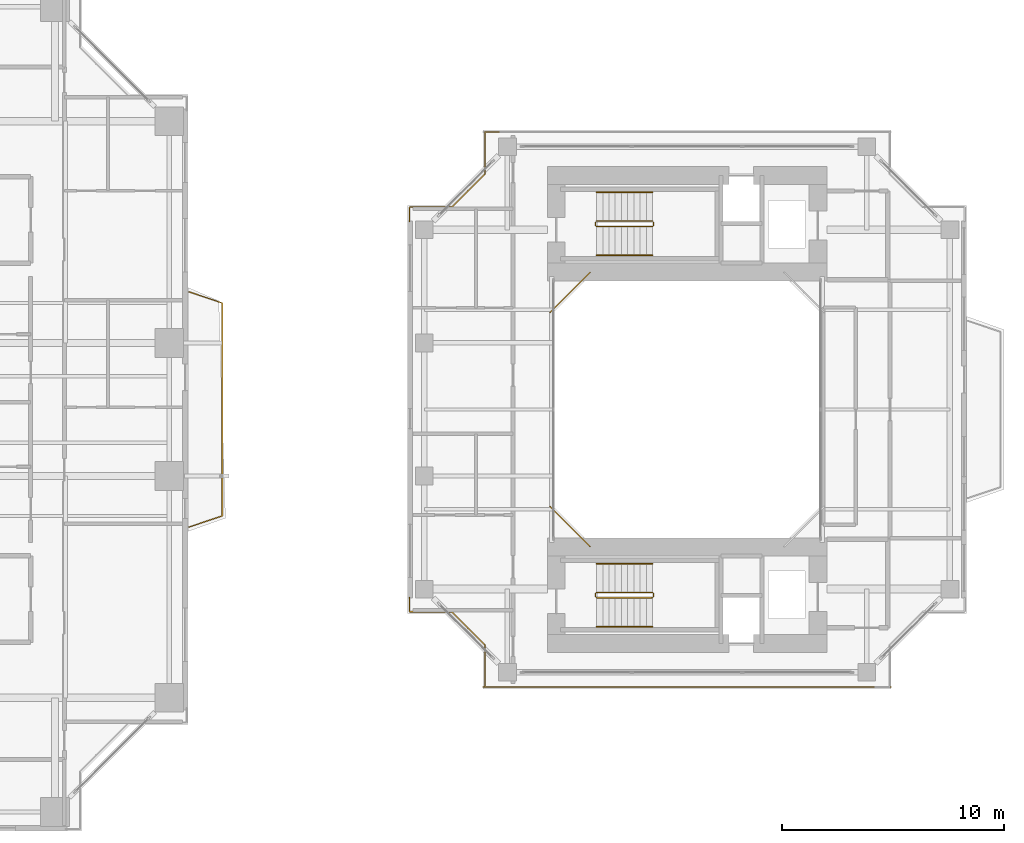
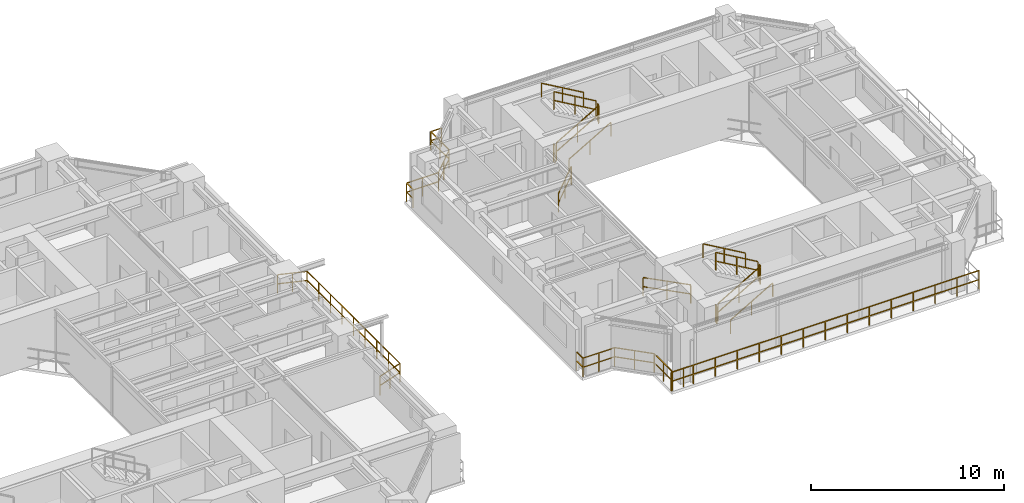
# One storey, part 22 of 23: 18 railings.
"""IFC4 building model written with IfcOpenShell, lengths in metres."""

from ifc_helpers import new_model, si_unit, direction, frame, origin, origin_2d, place, context, subcontext, project, spatial, rectangle, extrude, material, type_object, element, save


model = new_model("IFC4")

# Units and contexts
model_context = context("Model", 3, precision=1e-05, world=origin(), true_north=direction((0.0, 1.0)))
body_context = subcontext(model_context, "Body", "Model", "MODEL_VIEW")
ifc_project = project(units=[si_unit("LENGTHUNIT", "METRE"), si_unit("AREAUNIT", "SQUARE_METRE"), si_unit("VOLUMEUNIT", "CUBIC_METRE"), si_unit("PLANEANGLEUNIT", "RADIAN"), si_unit("MASSUNIT", "GRAM", prefix="KILO"), si_unit("THERMODYNAMICTEMPERATUREUNIT", "KELVIN"), si_unit("POWERUNIT", "WATT")], contexts=[model_context])

# Site, building, storey
site_placement = place(None, origin())
site = spatial("IfcSite", under=ifc_project, at=site_placement, CompositionType="ELEMENT")
building_placement = place(site_placement, origin())
building = spatial("IfcBuilding", under=site, at=building_placement, Name="Qiaomeng Ring Towers", CompositionType="ELEMENT")
storey_placement = place(building_placement, frame((0.0, 0.0, 79.5)))
storey = spatial("IfcBuildingStorey", under=building, at=storey_placement, Name="L22", CompositionType="ELEMENT", Elevation=79.5)

# Railings
ifc_material_1 = material(Name="Low-E pale-green laminated safety glass", Category="glass")
railing_type_1 = type_object("IfcRailingType", Name="ARC-RL-BAL1", PredefinedType="BALUSTRADE", material=ifc_material_1)
railing_1_placement = place(storey_placement, frame((38.050048828125, 17.699951171875, 0.0)))
element("IfcRailing", 1, at=railing_1_placement, inside=storey, type_object=railing_type_1, Name="L22 Balustrade ARC-BAL-L22-T1-E", PredefinedType="BALUSTRADE", context=body_context, shape_type="SweptSolid", body=[
    extrude(rectangle(XDim=0.048095703125, YDim=0.048095703125, at=origin_2d()), frame((0.0, 0.0, 1.17578125), z_axis=(0.948044476945, 0.318137815629, 0.0), x_axis=(-0.318137815629, 0.948044476945, 0.0)), (0.0, 0.0, 1.0), 1.571533203125),
    extrude(rectangle(XDim=0.048095703125, YDim=0.048095703125, at=origin_2d()), frame((0.0, 0.0, 0.60009765625), z_axis=(0.948044476945, 0.318137815629, 0.0), x_axis=(-0.318137815629, 0.948044476945, 0.0)), (0.0, 0.0, 1.0), 1.571533203125),
    extrude(rectangle(XDim=0.048095703125, YDim=0.048095703125, at=origin_2d()), frame((1.489990234375, 0.5, 1.17578125), z_axis=(0.0, 1.0, 0.0), x_axis=(-1.0, 0.0, 0.0)), (0.0, 0.0, 1.0), 9.60009765625),
    extrude(rectangle(XDim=0.048095703125, YDim=0.048095703125, at=origin_2d()), frame((1.489990234375, 0.5, 0.60009765625), z_axis=(0.0, 1.0, 0.0), x_axis=(-1.0, 0.0, 0.0)), (0.0, 0.0, 1.0), 9.60009765625),
    extrude(rectangle(XDim=0.048095703125, YDim=0.048095703125, at=origin_2d()), frame((1.489990234375, 10.10009765625, 1.17578125), z_axis=(-0.948044476945, 0.318137815629, 0.0), x_axis=(-0.318137815629, -0.948044476945, 0.0)), (0.0, 0.0, 1.0), 1.571533203125),
    extrude(rectangle(XDim=0.048095703125, YDim=0.048095703125, at=origin_2d()), frame((1.489990234375, 10.10009765625, 0.60009765625), z_axis=(-0.948044476945, 0.318137815629, 0.0), x_axis=(-0.318137815629, -0.948044476945, 0.0)), (0.0, 0.0, 1.0), 1.571533203125),
    extrude(rectangle(XDim=0.0419921875, YDim=0.0419921875, at=origin_2d()), origin(), (0.0, 0.0, 1.0), 1.15185546875),
    extrude(rectangle(XDim=0.0419921875, YDim=0.0419921875, at=origin_2d()), frame((0.7451171875, 0.25, 0.0)), (0.0, 0.0, 1.0), 1.15185546875),
    extrude(rectangle(XDim=0.0419921875, YDim=0.0419921875, at=origin_2d()), frame((1.489990234375, 0.5, 0.0)), (0.0, 0.0, 1.0), 1.15185546875),
    extrude(rectangle(XDim=0.0419921875, YDim=0.0419921875, at=origin_2d()), frame((1.489990234375, 1.699951171875, 0.0)), (0.0, 0.0, 1.0), 1.15185546875),
    extrude(rectangle(XDim=0.0419921875, YDim=0.0419921875, at=origin_2d()), frame((1.489990234375, 2.89990234375, 0.0)), (0.0, 0.0, 1.0), 1.15185546875),
    extrude(rectangle(XDim=0.0419921875, YDim=0.0419921875, at=origin_2d()), frame((1.489990234375, 4.10009765625, 0.0)), (0.0, 0.0, 1.0), 1.15185546875),
    extrude(rectangle(XDim=0.0419921875, YDim=0.0419921875, at=origin_2d()), frame((1.489990234375, 5.300048828125, 0.0)), (0.0, 0.0, 1.0), 1.15185546875),
    extrude(rectangle(XDim=0.0419921875, YDim=0.0419921875, at=origin_2d()), frame((1.489990234375, 6.5, 0.0)), (0.0, 0.0, 1.0), 1.15185546875),
    extrude(rectangle(XDim=0.0419921875, YDim=0.0419921875, at=origin_2d()), frame((1.489990234375, 7.7001953125, 0.0)), (0.0, 0.0, 1.0), 1.15185546875),
    extrude(rectangle(XDim=0.0419921875, YDim=0.0419921875, at=origin_2d()), frame((1.489990234375, 8.900146484375, 0.0)), (0.0, 0.0, 1.0), 1.15185546875),
    extrude(rectangle(XDim=0.0419921875, YDim=0.0419921875, at=origin_2d()), frame((1.489990234375, 10.10009765625, 0.0)), (0.0, 0.0, 1.0), 1.15185546875),
    extrude(rectangle(XDim=0.0419921875, YDim=0.0419921875, at=origin_2d()), frame((0.7451171875, 10.35009765625, 0.0)), (0.0, 0.0, 1.0), 1.15185546875),
    extrude(rectangle(XDim=0.0419921875, YDim=0.0419921875, at=origin_2d()), frame((0.0, 10.60009765625, 0.0)), (0.0, 0.0, 1.0), 1.15185546875),
])
railing_2_placement = place(storey_placement, frame((56.1201171875, 29.179931640625, 0.0)))
element("IfcRailing", 2, at=railing_2_placement, inside=storey, type_object=railing_type_1, Name="L22 Balustrade ARC-BAL-WELL2-L22-3", PredefinedType="BALUSTRADE", context=body_context, shape_type="SweptSolid", body=[
    extrude(rectangle(XDim=0.048095703125, YDim=0.048095703125, at=origin_2d()), frame((0.0, 0.0, 1.17578125), z_axis=(-0.707106781187, -0.707106781187, 0.0), x_axis=(0.707106781187, -0.707106781187, 0.0)), (0.0, 0.0, 1.0), 2.545654296875),
    extrude(rectangle(XDim=0.048095703125, YDim=0.048095703125, at=origin_2d()), frame((0.0, 0.0, 0.60009765625), z_axis=(-0.707106781187, -0.707106781187, 0.0), x_axis=(0.707106781187, -0.707106781187, 0.0)), (0.0, 0.0, 1.0), 2.545654296875),
    extrude(rectangle(XDim=0.0419921875, YDim=0.0419921875, at=origin_2d()), origin(), (0.0, 0.0, 1.0), 1.15185546875),
    extrude(rectangle(XDim=0.0419921875, YDim=0.0419921875, at=origin_2d()), frame((-0.89990234375, -0.89990234375, 0.0)), (0.0, 0.0, 1.0), 1.15185546875),
    extrude(rectangle(XDim=0.0419921875, YDim=0.0419921875, at=origin_2d()), frame((-1.800048828125, -1.800048828125, 0.0)), (0.0, 0.0, 1.0), 1.15185546875),
])
railing_3_placement = place(storey_placement, frame((54.320068359375, 18.6201171875, 0.0)))
element("IfcRailing", 3, at=railing_3_placement, inside=storey, type_object=railing_type_1, Name="L22 Balustrade ARC-BAL-WELL2-L22-4", PredefinedType="BALUSTRADE", context=body_context, shape_type="SweptSolid", body=[
    extrude(rectangle(XDim=0.048095703125, YDim=0.048095703125, at=origin_2d()), frame((0.0, 0.0, 1.17578125), z_axis=(0.707106781187, -0.707106781187, 0.0), x_axis=(0.707106781187, 0.707106781187, 0.0)), (0.0, 0.0, 1.0), 2.545654296875),
    extrude(rectangle(XDim=0.048095703125, YDim=0.048095703125, at=origin_2d()), frame((0.0, 0.0, 0.60009765625), z_axis=(0.707106781187, -0.707106781187, 0.0), x_axis=(0.707106781187, 0.707106781187, 0.0)), (0.0, 0.0, 1.0), 2.545654296875),
    extrude(rectangle(XDim=0.0419921875, YDim=0.0419921875, at=origin_2d()), origin(), (0.0, 0.0, 1.0), 1.15185546875),
    extrude(rectangle(XDim=0.0419921875, YDim=0.0419921875, at=origin_2d()), frame((0.89990234375, -0.89990234375, 0.0)), (0.0, 0.0, 1.0), 1.15185546875),
    extrude(rectangle(XDim=0.0419921875, YDim=0.0419921875, at=origin_2d()), frame((1.800048828125, -1.800048828125, 0.0)), (0.0, 0.0, 1.0), 1.15185546875),
])
railing_4_placement = place(storey_placement, frame((52.030029296875, 35.52001953125, 0.0)))
element("IfcRailing", 4, at=railing_4_placement, inside=storey, type_object=railing_type_1, Name="L22 Balustrade ARC-BAL-NOTCH2-L22-NW", PredefinedType="BALUSTRADE", context=body_context, shape_type="SweptSolid", body=[
    extrude(rectangle(XDim=0.048095703125, YDim=0.048095703125, at=origin_2d()), frame((0.0, 0.0, 1.17578125), z_axis=(-1.0, 0.0, 0.0), x_axis=(0.0, -1.0, 0.0)), (0.0, 0.0, 1.0), 0.650146484375),
    extrude(rectangle(XDim=0.048095703125, YDim=0.048095703125, at=origin_2d()), frame((0.0, 0.0, 0.60009765625), z_axis=(-1.0, 0.0, 0.0), x_axis=(0.0, -1.0, 0.0)), (0.0, 0.0, 1.0), 0.650146484375),
    extrude(rectangle(XDim=0.048095703125, YDim=0.048095703125, at=origin_2d()), frame((-0.650146484375, 0.0, 1.17578125), z_axis=(0.0, -1.0, 0.0), x_axis=(1.0, 0.0, 0.0)), (0.0, 0.0, 1.0), 1.89990234375),
    extrude(rectangle(XDim=0.048095703125, YDim=0.048095703125, at=origin_2d()), frame((-0.650146484375, 0.0, 0.60009765625), z_axis=(0.0, -1.0, 0.0), x_axis=(1.0, 0.0, 0.0)), (0.0, 0.0, 1.0), 1.89990234375),
    extrude(rectangle(XDim=0.048095703125, YDim=0.048095703125, at=origin_2d()), frame((-0.650146484375, -1.89990234375, 1.17578125), z_axis=(-0.707106781187, -0.707106781187, 0.0), x_axis=(0.707106781187, -0.707106781187, 0.0)), (0.0, 0.0, 1.0), 2.121337890625),
    extrude(rectangle(XDim=0.048095703125, YDim=0.048095703125, at=origin_2d()), frame((-0.650146484375, -1.89990234375, 0.60009765625), z_axis=(-0.707106781187, -0.707106781187, 0.0), x_axis=(0.707106781187, -0.707106781187, 0.0)), (0.0, 0.0, 1.0), 2.121337890625),
    extrude(rectangle(XDim=0.048095703125, YDim=0.048095703125, at=origin_2d()), frame((-2.150146484375, -3.39990234375, 1.17578125), z_axis=(-1.0, 0.0, 0.0), x_axis=(0.0, -1.0, 0.0)), (0.0, 0.0, 1.0), 1.89990234375),
    extrude(rectangle(XDim=0.048095703125, YDim=0.048095703125, at=origin_2d()), frame((-2.150146484375, -3.39990234375, 0.60009765625), z_axis=(-1.0, 0.0, 0.0), x_axis=(0.0, -1.0, 0.0)), (0.0, 0.0, 1.0), 1.89990234375),
    extrude(rectangle(XDim=0.048095703125, YDim=0.048095703125, at=origin_2d()), frame((-4.050048828125, -3.39990234375, 1.17578125), z_axis=(0.0, -1.0, 0.0), x_axis=(1.0, 0.0, 0.0)), (0.0, 0.0, 1.0), 0.650146484375),
    extrude(rectangle(XDim=0.048095703125, YDim=0.048095703125, at=origin_2d()), frame((-4.050048828125, -3.39990234375, 0.60009765625), z_axis=(0.0, -1.0, 0.0), x_axis=(1.0, 0.0, 0.0)), (0.0, 0.0, 1.0), 0.650146484375),
    extrude(rectangle(XDim=0.0419921875, YDim=0.0419921875, at=origin_2d()), origin(), (0.0, 0.0, 1.0), 1.15185546875),
    extrude(rectangle(XDim=0.0419921875, YDim=0.0419921875, at=origin_2d()), frame((-0.650146484375, 0.0, 0.0)), (0.0, 0.0, 1.0), 1.15185546875),
    extrude(rectangle(XDim=0.0419921875, YDim=0.0419921875, at=origin_2d()), frame((-0.650146484375, -0.949951171875, 0.0)), (0.0, 0.0, 1.0), 1.15185546875),
    extrude(rectangle(XDim=0.0419921875, YDim=0.0419921875, at=origin_2d()), frame((-0.650146484375, -1.89990234375, 0.0)), (0.0, 0.0, 1.0), 1.15185546875),
    extrude(rectangle(XDim=0.0419921875, YDim=0.0419921875, at=origin_2d()), frame((-1.400146484375, -2.64990234375, 0.0)), (0.0, 0.0, 1.0), 1.15185546875),
    extrude(rectangle(XDim=0.0419921875, YDim=0.0419921875, at=origin_2d()), frame((-2.150146484375, -3.39990234375, 0.0)), (0.0, 0.0, 1.0), 1.15185546875),
    extrude(rectangle(XDim=0.0419921875, YDim=0.0419921875, at=origin_2d()), frame((-3.10009765625, -3.39990234375, 0.0)), (0.0, 0.0, 1.0), 1.15185546875),
    extrude(rectangle(XDim=0.0419921875, YDim=0.0419921875, at=origin_2d()), frame((-4.050048828125, -3.39990234375, 0.0)), (0.0, 0.0, 1.0), 1.15185546875),
    extrude(rectangle(XDim=0.0419921875, YDim=0.0419921875, at=origin_2d()), frame((-4.050048828125, -4.050048828125, 0.0)), (0.0, 0.0, 1.0), 1.15185546875),
])
railing_5_placement = place(storey_placement, frame((47.97998046875, 14.530029296875, 0.0)))
element("IfcRailing", 5, at=railing_5_placement, inside=storey, type_object=railing_type_1, Name="L22 Balustrade ARC-BAL-NOTCH2-L22-SW", PredefinedType="BALUSTRADE", context=body_context, shape_type="SweptSolid", body=[
    extrude(rectangle(XDim=0.048095703125, YDim=0.048095703125, at=origin_2d()), frame((0.0, 0.0, 1.17578125), z_axis=(0.0, -1.0, 0.0), x_axis=(1.0, 0.0, 0.0)), (0.0, 0.0, 1.0), 0.650146484375),
    extrude(rectangle(XDim=0.048095703125, YDim=0.048095703125, at=origin_2d()), frame((0.0, 0.0, 0.60009765625), z_axis=(0.0, -1.0, 0.0), x_axis=(1.0, 0.0, 0.0)), (0.0, 0.0, 1.0), 0.650146484375),
    extrude(rectangle(XDim=0.048095703125, YDim=0.048095703125, at=origin_2d()), frame((0.0, -0.650146484375, 1.17578125), z_axis=(1.0, 0.0, 0.0), x_axis=(0.0, 1.0, 0.0)), (0.0, 0.0, 1.0), 1.89990234375),
    extrude(rectangle(XDim=0.048095703125, YDim=0.048095703125, at=origin_2d()), frame((0.0, -0.650146484375, 0.60009765625), z_axis=(1.0, 0.0, 0.0), x_axis=(0.0, 1.0, 0.0)), (0.0, 0.0, 1.0), 1.89990234375),
    extrude(rectangle(XDim=0.048095703125, YDim=0.048095703125, at=origin_2d()), frame((1.89990234375, -0.650146484375, 1.17578125), z_axis=(0.707106781187, -0.707106781187, 0.0), x_axis=(0.707106781187, 0.707106781187, 0.0)), (0.0, 0.0, 1.0), 2.121337890625),
    extrude(rectangle(XDim=0.048095703125, YDim=0.048095703125, at=origin_2d()), frame((1.89990234375, -0.650146484375, 0.60009765625), z_axis=(0.707106781187, -0.707106781187, 0.0), x_axis=(0.707106781187, 0.707106781187, 0.0)), (0.0, 0.0, 1.0), 2.121337890625),
    extrude(rectangle(XDim=0.048095703125, YDim=0.048095703125, at=origin_2d()), frame((3.39990234375, -2.150146484375, 1.17578125), z_axis=(0.0, -1.0, 0.0), x_axis=(1.0, 0.0, 0.0)), (0.0, 0.0, 1.0), 1.89990234375),
    extrude(rectangle(XDim=0.048095703125, YDim=0.048095703125, at=origin_2d()), frame((3.39990234375, -2.150146484375, 0.60009765625), z_axis=(0.0, -1.0, 0.0), x_axis=(1.0, 0.0, 0.0)), (0.0, 0.0, 1.0), 1.89990234375),
    extrude(rectangle(XDim=0.048095703125, YDim=0.048095703125, at=origin_2d()), frame((3.39990234375, -4.050048828125, 1.17578125), z_axis=(1.0, 0.0, 0.0), x_axis=(0.0, 1.0, 0.0)), (0.0, 0.0, 1.0), 0.650146484375),
    extrude(rectangle(XDim=0.048095703125, YDim=0.048095703125, at=origin_2d()), frame((3.39990234375, -4.050048828125, 0.60009765625), z_axis=(1.0, 0.0, 0.0), x_axis=(0.0, 1.0, 0.0)), (0.0, 0.0, 1.0), 0.650146484375),
    extrude(rectangle(XDim=0.0419921875, YDim=0.0419921875, at=origin_2d()), origin(), (0.0, 0.0, 1.0), 1.15185546875),
    extrude(rectangle(XDim=0.0419921875, YDim=0.0419921875, at=origin_2d()), frame((0.0, -0.650146484375, 0.0)), (0.0, 0.0, 1.0), 1.15185546875),
    extrude(rectangle(XDim=0.0419921875, YDim=0.0419921875, at=origin_2d()), frame((0.949951171875, -0.650146484375, 0.0)), (0.0, 0.0, 1.0), 1.15185546875),
    extrude(rectangle(XDim=0.0419921875, YDim=0.0419921875, at=origin_2d()), frame((1.89990234375, -0.650146484375, 0.0)), (0.0, 0.0, 1.0), 1.15185546875),
    extrude(rectangle(XDim=0.0419921875, YDim=0.0419921875, at=origin_2d()), frame((2.64990234375, -1.400146484375, 0.0)), (0.0, 0.0, 1.0), 1.15185546875),
    extrude(rectangle(XDim=0.0419921875, YDim=0.0419921875, at=origin_2d()), frame((3.39990234375, -2.150146484375, 0.0)), (0.0, 0.0, 1.0), 1.15185546875),
    extrude(rectangle(XDim=0.0419921875, YDim=0.0419921875, at=origin_2d()), frame((3.39990234375, -3.10009765625, 0.0)), (0.0, 0.0, 1.0), 1.15185546875),
    extrude(rectangle(XDim=0.0419921875, YDim=0.0419921875, at=origin_2d()), frame((3.39990234375, -4.050048828125, 0.0)), (0.0, 0.0, 1.0), 1.15185546875),
    extrude(rectangle(XDim=0.0419921875, YDim=0.0419921875, at=origin_2d()), frame((4.050048828125, -4.050048828125, 0.0)), (0.0, 0.0, 1.0), 1.15185546875),
])
railing_6_placement = place(storey_placement, frame((51.300048828125, 10.47998046875, 0.0)))
element("IfcRailing", 6, at=railing_6_placement, inside=storey, type_object=railing_type_1, Name="L22 Balustrade ARC-BAL-T2S-L22", PredefinedType="BALUSTRADE", context=body_context, shape_type="SweptSolid", body=[
    extrude(rectangle(XDim=0.048095703125, YDim=0.048095703125, at=origin_2d()), frame((0.0, 0.0, 1.17578125), z_axis=(1.0, 0.0, 0.0), x_axis=(0.0, 1.0, 0.0)), (0.0, 0.0, 1.0), 18.39990234375),
    extrude(rectangle(XDim=0.048095703125, YDim=0.048095703125, at=origin_2d()), frame((0.0, 0.0, 0.60009765625), z_axis=(1.0, 0.0, 0.0), x_axis=(0.0, 1.0, 0.0)), (0.0, 0.0, 1.0), 18.39990234375),
    extrude(rectangle(XDim=0.0419921875, YDim=0.0419921875, at=origin_2d()), origin(), (0.0, 0.0, 1.0), 1.15185546875),
    extrude(rectangle(XDim=0.0419921875, YDim=0.0419921875, at=origin_2d()), frame((1.314208984375, 0.0, 0.0)), (0.0, 0.0, 1.0), 1.15185546875),
    extrude(rectangle(XDim=0.0419921875, YDim=0.0419921875, at=origin_2d()), frame((2.628662109375, 0.0, 0.0)), (0.0, 0.0, 1.0), 1.15185546875),
    extrude(rectangle(XDim=0.0419921875, YDim=0.0419921875, at=origin_2d()), frame((3.94287109375, 0.0, 0.0)), (0.0, 0.0, 1.0), 1.15185546875),
    extrude(rectangle(XDim=0.0419921875, YDim=0.0419921875, at=origin_2d()), frame((5.257080078125, 0.0, 0.0)), (0.0, 0.0, 1.0), 1.15185546875),
    extrude(rectangle(XDim=0.0419921875, YDim=0.0419921875, at=origin_2d()), frame((6.5712890625, 0.0, 0.0)), (0.0, 0.0, 1.0), 1.15185546875),
    extrude(rectangle(XDim=0.0419921875, YDim=0.0419921875, at=origin_2d()), frame((7.8857421875, 0.0, 0.0)), (0.0, 0.0, 1.0), 1.15185546875),
    extrude(rectangle(XDim=0.0419921875, YDim=0.0419921875, at=origin_2d()), frame((9.199951171875, 0.0, 0.0)), (0.0, 0.0, 1.0), 1.15185546875),
    extrude(rectangle(XDim=0.0419921875, YDim=0.0419921875, at=origin_2d()), frame((10.51416015625, 0.0, 0.0)), (0.0, 0.0, 1.0), 1.15185546875),
    extrude(rectangle(XDim=0.0419921875, YDim=0.0419921875, at=origin_2d()), frame((11.82861328125, 0.0, 0.0)), (0.0, 0.0, 1.0), 1.15185546875),
    extrude(rectangle(XDim=0.0419921875, YDim=0.0419921875, at=origin_2d()), frame((13.142822265625, 0.0, 0.0)), (0.0, 0.0, 1.0), 1.15185546875),
    extrude(rectangle(XDim=0.0419921875, YDim=0.0419921875, at=origin_2d()), frame((14.45703125, 0.0, 0.0)), (0.0, 0.0, 1.0), 1.15185546875),
    extrude(rectangle(XDim=0.0419921875, YDim=0.0419921875, at=origin_2d()), frame((15.771240234375, 0.0, 0.0)), (0.0, 0.0, 1.0), 1.15185546875),
    extrude(rectangle(XDim=0.0419921875, YDim=0.0419921875, at=origin_2d()), frame((17.085693359375, 0.0, 0.0)), (0.0, 0.0, 1.0), 1.15185546875),
    extrude(rectangle(XDim=0.0419921875, YDim=0.0419921875, at=origin_2d()), frame((18.39990234375, 0.0, 0.0)), (0.0, 0.0, 1.0), 1.15185546875),
])
ifc_material_2 = material(Name="Galvanised steel", Category="steel")
railing_type_2 = type_object("IfcRailingType", Name="ARC-RL-GUARD", PredefinedType="GUARDRAIL", material=ifc_material_2)
railing_7_placement = place(storey_placement, frame((56.419921875, 31.25, 0.16259765625)))
element("IfcRailing", 7, at=railing_7_placement, inside=storey, type_object=railing_type_2, Name="L22 ST5 stair guard 1", PredefinedType="GUARDRAIL", context=body_context, shape_type="SweptSolid", body=[
    extrude(rectangle(XDim=0.048095703125, YDim=0.048095703125, at=origin_2d()), frame((0.0, 0.0, 1.1259765625), z_axis=(0.864913338283, 0.0, 0.50192122615), x_axis=(0.0, 1.0, 0.0)), (0.0, 0.0, 1.0), 2.91357421875),
    extrude(rectangle(XDim=0.048095703125, YDim=0.048095703125, at=origin_2d()), frame((0.0, 0.0, 0.574951171875), z_axis=(0.864913338283, 0.0, 0.50192122615), x_axis=(0.0, 1.0, 0.0)), (0.0, 0.0, 1.0), 2.91357421875),
    extrude(rectangle(XDim=0.0419921875, YDim=0.0419921875, at=origin_2d()), origin(), (0.0, 0.0, 1.0), 1.101806640625),
    extrude(rectangle(XDim=0.0419921875, YDim=0.0419921875, at=origin_2d()), frame((1.260009765625, 0.0, 0.731201171875)), (0.0, 0.0, 1.0), 1.101806640625),
    extrude(rectangle(XDim=0.0419921875, YDim=0.0419921875, at=origin_2d()), frame((2.52001953125, 0.0, 1.46240234375)), (0.0, 0.0, 1.0), 1.101806640625),
])
railing_8_placement = place(storey_placement, frame((58.989990234375, 31.300048828125, 1.625)))
element("IfcRailing", 8, at=railing_8_placement, inside=storey, type_object=railing_type_2, Name="L22 ST5 stair guard 2", PredefinedType="GUARDRAIL", context=body_context, shape_type="SweptSolid", body=[
    extrude(rectangle(XDim=0.048095703125, YDim=0.048095703125, at=origin_2d()), frame((0.0, 0.0, 1.1259765625), z_axis=(0.0, 1.0, 0.0), x_axis=(-1.0, 0.0, 0.0)), (0.0, 0.0, 1.0), 0.139892578125),
    extrude(rectangle(XDim=0.048095703125, YDim=0.048095703125, at=origin_2d()), frame((0.0, 0.0, 0.574951171875), z_axis=(0.0, 1.0, 0.0), x_axis=(-1.0, 0.0, 0.0)), (0.0, 0.0, 1.0), 0.139892578125),
    extrude(rectangle(XDim=0.0419921875, YDim=0.0419921875, at=origin_2d()), origin(), (0.0, 0.0, 1.0), 1.101806640625),
    extrude(rectangle(XDim=0.0419921875, YDim=0.0419921875, at=origin_2d()), frame((0.0, 0.139892578125, 0.0)), (0.0, 0.0, 1.0), 1.101806640625),
])
railing_9_placement = place(storey_placement, frame((58.93994140625, 31.489990234375, 1.78759765625)))
element("IfcRailing", 9, at=railing_9_placement, inside=storey, type_object=railing_type_2, Name="L22 ST5 stair guard 3", PredefinedType="GUARDRAIL", context=body_context, shape_type="SweptSolid", body=[
    extrude(rectangle(XDim=0.048095703125, YDim=0.048095703125, at=origin_2d()), frame((0.0, 0.0, 1.1259765625), z_axis=(-0.864913338283, 0.0, 0.50192122615), x_axis=(0.0, -1.0, 0.0)), (0.0, 0.0, 1.0), 2.91357421875),
    extrude(rectangle(XDim=0.048095703125, YDim=0.048095703125, at=origin_2d()), frame((0.0, 0.0, 0.574951171875), z_axis=(-0.864913338283, 0.0, 0.50192122615), x_axis=(0.0, -1.0, 0.0)), (0.0, 0.0, 1.0), 2.91357421875),
    extrude(rectangle(XDim=0.0419921875, YDim=0.0419921875, at=origin_2d()), origin(), (0.0, 0.0, 1.0), 1.101806640625),
    extrude(rectangle(XDim=0.0419921875, YDim=0.0419921875, at=origin_2d()), frame((-1.260009765625, 0.0, 0.731201171875)), (0.0, 0.0, 1.0), 1.101806640625),
    extrude(rectangle(XDim=0.0419921875, YDim=0.0419921875, at=origin_2d()), frame((-2.52001953125, 0.0, 1.46240234375)), (0.0, 0.0, 1.0), 1.101806640625),
])
railing_10_placement = place(storey_placement, frame((56.3701171875, 31.300048828125, 0.0)))
element("IfcRailing", 10, at=railing_10_placement, inside=storey, type_object=railing_type_2, Name="L22 ST5 stair guard 4", PredefinedType="GUARDRAIL", context=body_context, shape_type="SweptSolid", body=[
    extrude(rectangle(XDim=0.048095703125, YDim=0.048095703125, at=origin_2d()), frame((0.0, 0.0, 1.1259765625), z_axis=(0.0, 1.0, 0.0), x_axis=(-1.0, 0.0, 0.0)), (0.0, 0.0, 1.0), 0.139892578125),
    extrude(rectangle(XDim=0.048095703125, YDim=0.048095703125, at=origin_2d()), frame((0.0, 0.0, 0.574951171875), z_axis=(0.0, 1.0, 0.0), x_axis=(-1.0, 0.0, 0.0)), (0.0, 0.0, 1.0), 0.139892578125),
    extrude(rectangle(XDim=0.0419921875, YDim=0.0419921875, at=origin_2d()), origin(), (0.0, 0.0, 1.0), 1.101806640625),
    extrude(rectangle(XDim=0.0419921875, YDim=0.0419921875, at=origin_2d()), frame((0.0, 0.139892578125, 0.0)), (0.0, 0.0, 1.0), 1.101806640625),
])
railing_11_placement = place(storey_placement, frame((56.419921875, 14.510009765625, 0.16259765625)))
element("IfcRailing", 11, at=railing_11_placement, inside=storey, type_object=railing_type_2, Name="L22 ST6 stair guard 1", PredefinedType="GUARDRAIL", context=body_context, shape_type="SweptSolid", body=[
    extrude(rectangle(XDim=0.048095703125, YDim=0.048095703125, at=origin_2d()), frame((0.0, 0.0, 1.1259765625), z_axis=(0.864913338283, 0.0, 0.50192122615), x_axis=(0.0, 1.0, 0.0)), (0.0, 0.0, 1.0), 2.91357421875),
    extrude(rectangle(XDim=0.048095703125, YDim=0.048095703125, at=origin_2d()), frame((0.0, 0.0, 0.574951171875), z_axis=(0.864913338283, 0.0, 0.50192122615), x_axis=(0.0, 1.0, 0.0)), (0.0, 0.0, 1.0), 2.91357421875),
    extrude(rectangle(XDim=0.0419921875, YDim=0.0419921875, at=origin_2d()), origin(), (0.0, 0.0, 1.0), 1.101806640625),
    extrude(rectangle(XDim=0.0419921875, YDim=0.0419921875, at=origin_2d()), frame((1.260009765625, 0.0, 0.731201171875)), (0.0, 0.0, 1.0), 1.101806640625),
    extrude(rectangle(XDim=0.0419921875, YDim=0.0419921875, at=origin_2d()), frame((2.52001953125, 0.0, 1.46240234375)), (0.0, 0.0, 1.0), 1.101806640625),
])
railing_12_placement = place(storey_placement, frame((58.989990234375, 14.56005859375, 1.625)))
element("IfcRailing", 12, at=railing_12_placement, inside=storey, type_object=railing_type_2, Name="L22 ST6 stair guard 2", PredefinedType="GUARDRAIL", context=body_context, shape_type="SweptSolid", body=[
    extrude(rectangle(XDim=0.048095703125, YDim=0.048095703125, at=origin_2d()), frame((0.0, 0.0, 1.1259765625), z_axis=(0.0, 1.0, 0.0), x_axis=(-1.0, 0.0, 0.0)), (0.0, 0.0, 1.0), 0.139892578125),
    extrude(rectangle(XDim=0.048095703125, YDim=0.048095703125, at=origin_2d()), frame((0.0, 0.0, 0.574951171875), z_axis=(0.0, 1.0, 0.0), x_axis=(-1.0, 0.0, 0.0)), (0.0, 0.0, 1.0), 0.139892578125),
    extrude(rectangle(XDim=0.0419921875, YDim=0.0419921875, at=origin_2d()), origin(), (0.0, 0.0, 1.0), 1.101806640625),
    extrude(rectangle(XDim=0.0419921875, YDim=0.0419921875, at=origin_2d()), frame((0.0, 0.139892578125, 0.0)), (0.0, 0.0, 1.0), 1.101806640625),
])
railing_13_placement = place(storey_placement, frame((58.93994140625, 14.75, 1.78759765625)))
element("IfcRailing", 13, at=railing_13_placement, inside=storey, type_object=railing_type_2, Name="L22 ST6 stair guard 3", PredefinedType="GUARDRAIL", context=body_context, shape_type="SweptSolid", body=[
    extrude(rectangle(XDim=0.048095703125, YDim=0.048095703125, at=origin_2d()), frame((0.0, 0.0, 1.1259765625), z_axis=(-0.864913338283, 0.0, 0.50192122615), x_axis=(0.0, -1.0, 0.0)), (0.0, 0.0, 1.0), 2.91357421875),
    extrude(rectangle(XDim=0.048095703125, YDim=0.048095703125, at=origin_2d()), frame((0.0, 0.0, 0.574951171875), z_axis=(-0.864913338283, 0.0, 0.50192122615), x_axis=(0.0, -1.0, 0.0)), (0.0, 0.0, 1.0), 2.91357421875),
    extrude(rectangle(XDim=0.0419921875, YDim=0.0419921875, at=origin_2d()), origin(), (0.0, 0.0, 1.0), 1.101806640625),
    extrude(rectangle(XDim=0.0419921875, YDim=0.0419921875, at=origin_2d()), frame((-1.260009765625, 0.0, 0.731201171875)), (0.0, 0.0, 1.0), 1.101806640625),
    extrude(rectangle(XDim=0.0419921875, YDim=0.0419921875, at=origin_2d()), frame((-2.52001953125, 0.0, 1.46240234375)), (0.0, 0.0, 1.0), 1.101806640625),
])
railing_14_placement = place(storey_placement, frame((56.3701171875, 14.56005859375, 0.0)))
element("IfcRailing", 14, at=railing_14_placement, inside=storey, type_object=railing_type_2, Name="L22 ST6 stair guard 4", PredefinedType="GUARDRAIL", context=body_context, shape_type="SweptSolid", body=[
    extrude(rectangle(XDim=0.048095703125, YDim=0.048095703125, at=origin_2d()), frame((0.0, 0.0, 1.1259765625), z_axis=(0.0, 1.0, 0.0), x_axis=(-1.0, 0.0, 0.0)), (0.0, 0.0, 1.0), 0.139892578125),
    extrude(rectangle(XDim=0.048095703125, YDim=0.048095703125, at=origin_2d()), frame((0.0, 0.0, 0.574951171875), z_axis=(0.0, 1.0, 0.0), x_axis=(-1.0, 0.0, 0.0)), (0.0, 0.0, 1.0), 0.139892578125),
    extrude(rectangle(XDim=0.0419921875, YDim=0.0419921875, at=origin_2d()), origin(), (0.0, 0.0, 1.0), 1.101806640625),
    extrude(rectangle(XDim=0.0419921875, YDim=0.0419921875, at=origin_2d()), frame((0.0, 0.139892578125, 0.0)), (0.0, 0.0, 1.0), 1.101806640625),
])
ifc_material_3 = material(Name="Stainless steel 316", Category="steel")
railing_type_3 = type_object("IfcRailingType", Name="ARC-RL-HAND", PredefinedType="HANDRAIL", material=ifc_material_3)
railing_15_placement = place(storey_placement, frame((56.419921875, 29.949951171875, 0.16259765625)))
element("IfcRailing", 15, at=railing_15_placement, inside=storey, type_object=railing_type_3, Name="L22 ST5 stair handrail 1", PredefinedType="HANDRAIL", context=body_context, shape_type="SweptSolid", body=[
    extrude(rectangle(XDim=0.048095703125, YDim=0.048095703125, at=origin_2d()), frame((0.0, 0.0, 0.8759765625), z_axis=(0.864913338283, 0.0, 0.50192122615), x_axis=(0.0, 1.0, 0.0)), (0.0, 0.0, 1.0), 2.91357421875),
    extrude(rectangle(XDim=0.0419921875, YDim=0.0419921875, at=origin_2d()), origin(), (0.0, 0.0, 1.0), 0.851806640625),
    extrude(rectangle(XDim=0.0419921875, YDim=0.0419921875, at=origin_2d()), frame((1.260009765625, 0.0, 0.731201171875)), (0.0, 0.0, 1.0), 0.851806640625),
    extrude(rectangle(XDim=0.0419921875, YDim=0.0419921875, at=origin_2d()), frame((2.52001953125, 0.0, 1.46240234375)), (0.0, 0.0, 1.0), 0.851806640625),
])
railing_16_placement = place(storey_placement, frame((58.93994140625, 32.7900390625, 1.78759765625)))
element("IfcRailing", 16, at=railing_16_placement, inside=storey, type_object=railing_type_3, Name="L22 ST5 stair handrail 2", PredefinedType="HANDRAIL", context=body_context, shape_type="SweptSolid", body=[
    extrude(rectangle(XDim=0.048095703125, YDim=0.048095703125, at=origin_2d()), frame((0.0, 0.0, 0.8759765625), z_axis=(-0.864913338283, 0.0, 0.50192122615), x_axis=(0.0, -1.0, 0.0)), (0.0, 0.0, 1.0), 2.91357421875),
    extrude(rectangle(XDim=0.0419921875, YDim=0.0419921875, at=origin_2d()), origin(), (0.0, 0.0, 1.0), 0.851806640625),
    extrude(rectangle(XDim=0.0419921875, YDim=0.0419921875, at=origin_2d()), frame((-1.260009765625, 0.0, 0.731201171875)), (0.0, 0.0, 1.0), 0.851806640625),
    extrude(rectangle(XDim=0.0419921875, YDim=0.0419921875, at=origin_2d()), frame((-2.52001953125, 0.0, 1.46240234375)), (0.0, 0.0, 1.0), 0.851806640625),
])
railing_17_placement = place(storey_placement, frame((56.419921875, 13.2099609375, 0.16259765625)))
element("IfcRailing", 17, at=railing_17_placement, inside=storey, type_object=railing_type_3, Name="L22 ST6 stair handrail 1", PredefinedType="HANDRAIL", context=body_context, shape_type="SweptSolid", body=[
    extrude(rectangle(XDim=0.048095703125, YDim=0.048095703125, at=origin_2d()), frame((0.0, 0.0, 0.8759765625), z_axis=(0.864913338283, 0.0, 0.50192122615), x_axis=(0.0, 1.0, 0.0)), (0.0, 0.0, 1.0), 2.91357421875),
    extrude(rectangle(XDim=0.0419921875, YDim=0.0419921875, at=origin_2d()), origin(), (0.0, 0.0, 1.0), 0.851806640625),
    extrude(rectangle(XDim=0.0419921875, YDim=0.0419921875, at=origin_2d()), frame((1.260009765625, 0.0, 0.731201171875)), (0.0, 0.0, 1.0), 0.851806640625),
    extrude(rectangle(XDim=0.0419921875, YDim=0.0419921875, at=origin_2d()), frame((2.52001953125, 0.0, 1.46240234375)), (0.0, 0.0, 1.0), 0.851806640625),
])
railing_18_placement = place(storey_placement, frame((58.93994140625, 16.050048828125, 1.78759765625)))
element("IfcRailing", 18, at=railing_18_placement, inside=storey, type_object=railing_type_3, Name="L22 ST6 stair handrail 2", PredefinedType="HANDRAIL", context=body_context, shape_type="SweptSolid", body=[
    extrude(rectangle(XDim=0.048095703125, YDim=0.048095703125, at=origin_2d()), frame((0.0, 0.0, 0.8759765625), z_axis=(-0.864913338283, 0.0, 0.50192122615), x_axis=(0.0, -1.0, 0.0)), (0.0, 0.0, 1.0), 2.91357421875),
    extrude(rectangle(XDim=0.0419921875, YDim=0.0419921875, at=origin_2d()), origin(), (0.0, 0.0, 1.0), 0.851806640625),
    extrude(rectangle(XDim=0.0419921875, YDim=0.0419921875, at=origin_2d()), frame((-1.260009765625, 0.0, 0.731201171875)), (0.0, 0.0, 1.0), 0.851806640625),
    extrude(rectangle(XDim=0.0419921875, YDim=0.0419921875, at=origin_2d()), frame((-2.52001953125, 0.0, 1.46240234375)), (0.0, 0.0, 1.0), 0.851806640625),
])

save(model, "model.ifc")
